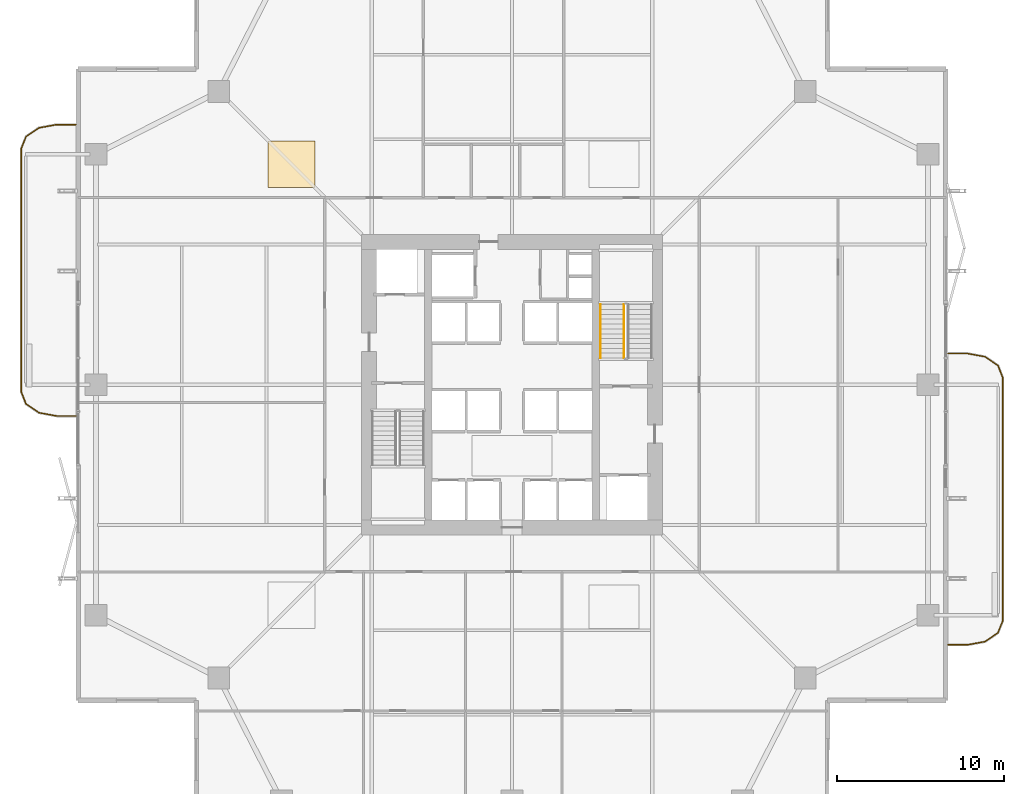
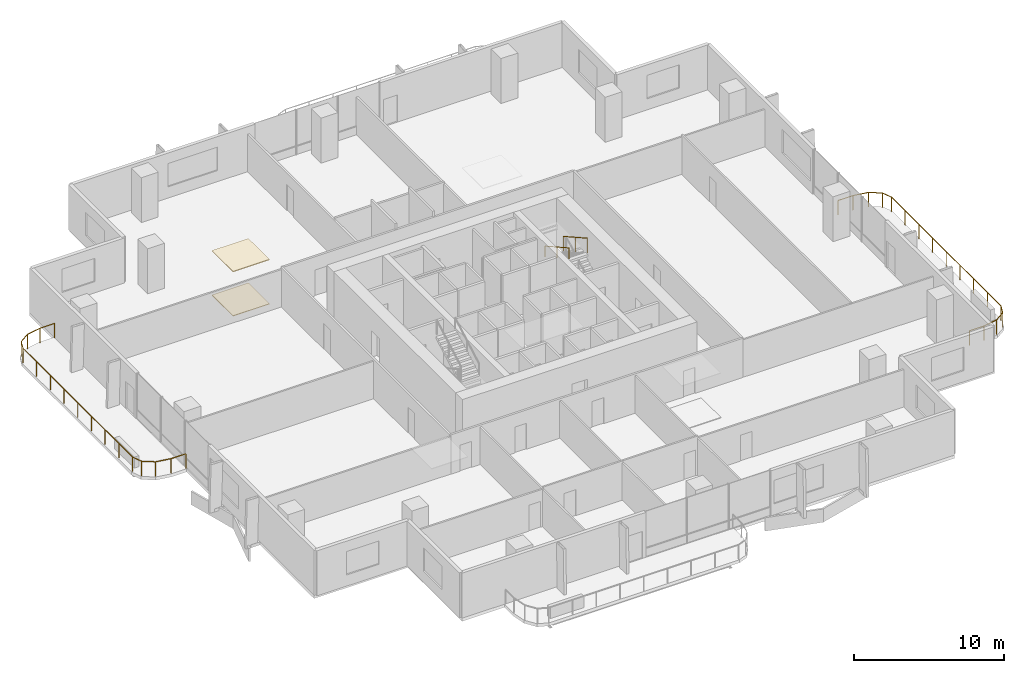
# One storey, part 22 of 23: 4 railings, 2 coverings.
"""IFC4 building model written with IfcOpenShell, lengths in metres."""

from ifc_helpers import new_model, si_unit, direction, frame, origin, origin_2d, place, context, subcontext, project, spatial, polyline, rectangle, outline, extrude, material, layer, layer_set, type_object, element, save


model = new_model("IFC4")

# Units and contexts
model_context = context("Model", 3, precision=1e-05, world=origin(), true_north=direction((0.0, 1.0)))
body_context = subcontext(model_context, "Body", "Model", "MODEL_VIEW")
ifc_project = project(units=[si_unit("LENGTHUNIT", "METRE"), si_unit("AREAUNIT", "SQUARE_METRE"), si_unit("VOLUMEUNIT", "CUBIC_METRE"), si_unit("PLANEANGLEUNIT", "RADIAN"), si_unit("MASSUNIT", "GRAM", prefix="KILO")], contexts=[model_context])

# Site, building, storey
site_placement = place(None, origin())
site = spatial("IfcSite", under=ifc_project, at=site_placement, CompositionType="ELEMENT")
building_placement = place(site_placement, origin())
building = spatial("IfcBuilding", under=site, at=building_placement, Name="Belovzor Exchange Tower", CompositionType="ELEMENT")
storey_placement = place(building_placement, frame((0.0, 0.0, 125.10009765625)))
storey = spatial("IfcBuildingStorey", under=building, at=storey_placement, Name="L30", CompositionType="ELEMENT", Elevation=125.10009765625)

# Railings
ifc_material_1 = material(Name="Stainless Steel Grade 304", Category="steel")
railing_type_1 = type_object("IfcRailingType", Name="Brushed Stainless Steel Stair Handrail 900", PredefinedType="HANDRAIL", material=ifc_material_1)
railing_1_placement = place(storey_placement, frame((34.10009765625, 33.590087890625, 2.1123046875)))
element("IfcRailing", 1, at=railing_1_placement, inside=storey, type_object=railing_type_1, Name="L30 ST-2 stair handrail 2", PredefinedType="HANDRAIL", context=body_context, shape_type="SweptSolid", body=[
    extrude(rectangle(XDim=0.048095703125, YDim=0.048095703125, at=origin_2d()), frame((0.0, 0.0, 0.8759765625), z_axis=(0.0, -0.87237847985, 0.488831042279), x_axis=(1.0, 0.0, 0.0)), (0.0, 0.0, 1.0), 3.656982421875),
    extrude(rectangle(XDim=0.0419921875, YDim=0.0419921875, at=origin_2d()), origin(), (0.0, 0.0, 1.0), 0.851806640625),
    extrude(rectangle(XDim=0.0419921875, YDim=0.0419921875, at=origin_2d()), frame((0.0, -1.59521484375, 0.893798828125)), (0.0, 0.0, 1.0), 0.851806640625),
    extrude(rectangle(XDim=0.0419921875, YDim=0.0419921875, at=origin_2d()), frame((0.0, -3.190185546875, 1.78759765625)), (0.0, 0.0, 1.0), 0.851806640625),
])
ifc_material_2 = material(Name="Stainless Steel and Laminated Safety Glass", Category="steel")
railing_type_2 = type_object("IfcRailingType", Name="Laminated Glass & Stainless Steel Balcony Balustrade 1200", PredefinedType="BALUSTRADE", material=ifc_material_2)
railing_2_placement = place(storey_placement, frame((54.909912109375, 13.22998046875, 0.0)))
element("IfcRailing", 2, at=railing_2_placement, inside=storey, type_object=railing_type_2, Name="GR-1 Balcony Balustrade L30 East", PredefinedType="BALUSTRADE", context=body_context, shape_type="SweptSolid", body=[
    extrude(rectangle(XDim=0.048095703125, YDim=0.048095703125, at=origin_2d()), frame((0.0, 0.0, 1.17578125), z_axis=(1.0, 0.0, 0.0), x_axis=(0.0, 1.0, 0.0)), (0.0, 0.0, 1.0), 1.133056640625),
    extrude(rectangle(XDim=0.048095703125, YDim=0.048095703125, at=origin_2d()), frame((1.133056640625, 0.0, 1.17578125), z_axis=(0.983644145941, 0.180122719713, 0.0), x_axis=(-0.180122719713, 0.983644145941, 0.0)), (0.0, 0.0, 1.0), 1.09375),
    extrude(rectangle(XDim=0.048095703125, YDim=0.048095703125, at=origin_2d()), frame((2.208984375, 0.197021484375, 1.17578125), z_axis=(0.826614792125, 0.562768145367, 0.0), x_axis=(-0.562768145367, 0.826614792125, 0.0)), (0.0, 0.0, 1.0), 0.9326171875),
    extrude(rectangle(XDim=0.048095703125, YDim=0.048095703125, at=origin_2d()), frame((2.97998046875, 0.721923828125, 1.17578125), z_axis=(0.365504480807, 0.930809580156, 0.0), x_axis=(-0.930809580156, 0.365504480807, 0.0)), (0.0, 0.0, 1.0), 0.76611328125),
    extrude(rectangle(XDim=0.048095703125, YDim=0.048095703125, at=origin_2d()), frame((3.260009765625, 1.43505859375, 1.17578125), z_axis=(0.0, 1.0, 0.0), x_axis=(-1.0, 0.0, 0.0)), (0.0, 0.0, 1.0), 14.570068359375),
    extrude(rectangle(XDim=0.048095703125, YDim=0.048095703125, at=origin_2d()), frame((3.260009765625, 16.005126953125, 1.17578125), z_axis=(-0.365612923861, 0.930766990125, 0.0), x_axis=(-0.930766990125, -0.365612923861, 0.0)), (0.0, 0.0, 1.0), 0.765869140625),
    extrude(rectangle(XDim=0.048095703125, YDim=0.048095703125, at=origin_2d()), frame((2.97998046875, 16.718017578125, 1.17578125), z_axis=(-0.826614792125, 0.562768145367, 0.0), x_axis=(-0.562768145367, -0.826614792125, 0.0)), (0.0, 0.0, 1.0), 0.9326171875),
    extrude(rectangle(XDim=0.048095703125, YDim=0.048095703125, at=origin_2d()), frame((2.208984375, 17.242919921875, 1.17578125), z_axis=(-0.983644145941, 0.180122719713, 0.0), x_axis=(-0.180122719713, -0.983644145941, 0.0)), (0.0, 0.0, 1.0), 1.09375),
    extrude(rectangle(XDim=0.048095703125, YDim=0.048095703125, at=origin_2d()), frame((1.133056640625, 17.43994140625, 1.17578125), z_axis=(-1.0, 0.0, 0.0), x_axis=(0.0, -1.0, 0.0)), (0.0, 0.0, 1.0), 1.133056640625),
    extrude(rectangle(XDim=0.0419921875, YDim=0.0419921875, at=origin_2d()), origin(), (0.0, 0.0, 1.0), 1.15185546875),
    extrude(rectangle(XDim=0.0419921875, YDim=0.0419921875, at=origin_2d()), frame((1.133056640625, 0.0, 0.0)), (0.0, 0.0, 1.0), 1.15185546875),
    extrude(rectangle(XDim=0.0419921875, YDim=0.0419921875, at=origin_2d()), frame((2.208984375, 0.197021484375, 0.0)), (0.0, 0.0, 1.0), 1.15185546875),
    extrude(rectangle(XDim=0.0419921875, YDim=0.0419921875, at=origin_2d()), frame((2.97998046875, 0.721923828125, 0.0)), (0.0, 0.0, 1.0), 1.15185546875),
    extrude(rectangle(XDim=0.0419921875, YDim=0.0419921875, at=origin_2d()), frame((3.260009765625, 1.43505859375, 0.0)), (0.0, 0.0, 1.0), 1.15185546875),
    extrude(rectangle(XDim=0.0419921875, YDim=0.0419921875, at=origin_2d()), frame((3.260009765625, 3.25634765625, 0.0)), (0.0, 0.0, 1.0), 1.15185546875),
    extrude(rectangle(XDim=0.0419921875, YDim=0.0419921875, at=origin_2d()), frame((3.260009765625, 5.07763671875, 0.0)), (0.0, 0.0, 1.0), 1.15185546875),
    extrude(rectangle(XDim=0.0419921875, YDim=0.0419921875, at=origin_2d()), frame((3.260009765625, 6.89892578125, 0.0)), (0.0, 0.0, 1.0), 1.15185546875),
    extrude(rectangle(XDim=0.0419921875, YDim=0.0419921875, at=origin_2d()), frame((3.260009765625, 8.72021484375, 0.0)), (0.0, 0.0, 1.0), 1.15185546875),
    extrude(rectangle(XDim=0.0419921875, YDim=0.0419921875, at=origin_2d()), frame((3.260009765625, 10.541259765625, 0.0)), (0.0, 0.0, 1.0), 1.15185546875),
    extrude(rectangle(XDim=0.0419921875, YDim=0.0419921875, at=origin_2d()), frame((3.260009765625, 12.362548828125, 0.0)), (0.0, 0.0, 1.0), 1.15185546875),
    extrude(rectangle(XDim=0.0419921875, YDim=0.0419921875, at=origin_2d()), frame((3.260009765625, 14.183837890625, 0.0)), (0.0, 0.0, 1.0), 1.15185546875),
    extrude(rectangle(XDim=0.0419921875, YDim=0.0419921875, at=origin_2d()), frame((3.260009765625, 16.005126953125, 0.0)), (0.0, 0.0, 1.0), 1.15185546875),
    extrude(rectangle(XDim=0.0419921875, YDim=0.0419921875, at=origin_2d()), frame((2.97998046875, 16.718017578125, 0.0)), (0.0, 0.0, 1.0), 1.15185546875),
    extrude(rectangle(XDim=0.0419921875, YDim=0.0419921875, at=origin_2d()), frame((2.208984375, 17.242919921875, 0.0)), (0.0, 0.0, 1.0), 1.15185546875),
    extrude(rectangle(XDim=0.0419921875, YDim=0.0419921875, at=origin_2d()), frame((1.133056640625, 17.43994140625, 0.0)), (0.0, 0.0, 1.0), 1.15185546875),
    extrude(rectangle(XDim=0.0419921875, YDim=0.0419921875, at=origin_2d()), frame((0.0, 17.43994140625, 0.0)), (0.0, 0.0, 1.0), 1.15185546875),
])
railing_3_placement = place(storey_placement, frame((2.68994140625, 44.3701171875, 0.0)))
element("IfcRailing", 3, at=railing_3_placement, inside=storey, type_object=railing_type_2, Name="GR-1 Balcony Balustrade L30 West", PredefinedType="BALUSTRADE", context=body_context, shape_type="SweptSolid", body=[
    extrude(rectangle(XDim=0.048095703125, YDim=0.048095703125, at=origin_2d()), frame((0.0, 0.0, 1.17578125), z_axis=(-1.0, 0.0, 0.0), x_axis=(0.0, -1.0, 0.0)), (0.0, 0.0, 1.0), 1.133056640625),
    extrude(rectangle(XDim=0.048095703125, YDim=0.048095703125, at=origin_2d()), frame((-1.133056640625, 0.0, 1.17578125), z_axis=(-0.983644145941, -0.180122719713, 0.0), x_axis=(0.180122719713, -0.983644145941, 0.0)), (0.0, 0.0, 1.0), 1.09375),
    extrude(rectangle(XDim=0.048095703125, YDim=0.048095703125, at=origin_2d()), frame((-2.208984375, -0.197021484375, 1.17578125), z_axis=(-0.826493025367, -0.56294695933, 0.0), x_axis=(0.56294695933, -0.826493025367, 0.0)), (0.0, 0.0, 1.0), 0.932861328125),
    extrude(rectangle(XDim=0.048095703125, YDim=0.048095703125, at=origin_2d()), frame((-2.97998046875, -0.72216796875, 1.17578125), z_axis=(-0.365612923861, -0.930766990125, 0.0), x_axis=(0.930766990125, -0.365612923861, 0.0)), (0.0, 0.0, 1.0), 0.765869140625),
    extrude(rectangle(XDim=0.048095703125, YDim=0.048095703125, at=origin_2d()), frame((-3.260009765625, -1.43505859375, 1.17578125), z_axis=(0.0, -1.0, 0.0), x_axis=(1.0, 0.0, 0.0)), (0.0, 0.0, 1.0), 14.570068359375),
    extrude(rectangle(XDim=0.048095703125, YDim=0.048095703125, at=origin_2d()), frame((-3.260009765625, -16.005126953125, 1.17578125), z_axis=(0.365612923861, -0.930766990125, 0.0), x_axis=(0.930766990125, 0.365612923861, 0.0)), (0.0, 0.0, 1.0), 0.765869140625),
    extrude(rectangle(XDim=0.048095703125, YDim=0.048095703125, at=origin_2d()), frame((-2.97998046875, -16.718017578125, 1.17578125), z_axis=(0.826493025367, -0.56294695933, 0.0), x_axis=(0.56294695933, 0.826493025367, 0.0)), (0.0, 0.0, 1.0), 0.932861328125),
    extrude(rectangle(XDim=0.048095703125, YDim=0.048095703125, at=origin_2d()), frame((-2.208984375, -17.2431640625, 1.17578125), z_axis=(0.983644145941, -0.180122719713, 0.0), x_axis=(0.180122719713, 0.983644145941, 0.0)), (0.0, 0.0, 1.0), 1.09375),
    extrude(rectangle(XDim=0.048095703125, YDim=0.048095703125, at=origin_2d()), frame((-1.133056640625, -17.440185546875, 1.17578125), z_axis=(1.0, 0.0, 0.0), x_axis=(0.0, 1.0, 0.0)), (0.0, 0.0, 1.0), 1.133056640625),
    extrude(rectangle(XDim=0.0419921875, YDim=0.0419921875, at=origin_2d()), origin(), (0.0, 0.0, 1.0), 1.15185546875),
    extrude(rectangle(XDim=0.0419921875, YDim=0.0419921875, at=origin_2d()), frame((-1.133056640625, 0.0, 0.0)), (0.0, 0.0, 1.0), 1.15185546875),
    extrude(rectangle(XDim=0.0419921875, YDim=0.0419921875, at=origin_2d()), frame((-2.208984375, -0.197021484375, 0.0)), (0.0, 0.0, 1.0), 1.15185546875),
    extrude(rectangle(XDim=0.0419921875, YDim=0.0419921875, at=origin_2d()), frame((-2.97998046875, -0.72216796875, 0.0)), (0.0, 0.0, 1.0), 1.15185546875),
    extrude(rectangle(XDim=0.0419921875, YDim=0.0419921875, at=origin_2d()), frame((-3.260009765625, -1.43505859375, 0.0)), (0.0, 0.0, 1.0), 1.15185546875),
    extrude(rectangle(XDim=0.0419921875, YDim=0.0419921875, at=origin_2d()), frame((-3.260009765625, -3.25634765625, 0.0)), (0.0, 0.0, 1.0), 1.15185546875),
    extrude(rectangle(XDim=0.0419921875, YDim=0.0419921875, at=origin_2d()), frame((-3.260009765625, -5.07763671875, 0.0)), (0.0, 0.0, 1.0), 1.15185546875),
    extrude(rectangle(XDim=0.0419921875, YDim=0.0419921875, at=origin_2d()), frame((-3.260009765625, -6.89892578125, 0.0)), (0.0, 0.0, 1.0), 1.15185546875),
    extrude(rectangle(XDim=0.0419921875, YDim=0.0419921875, at=origin_2d()), frame((-3.260009765625, -8.72021484375, 0.0)), (0.0, 0.0, 1.0), 1.15185546875),
    extrude(rectangle(XDim=0.0419921875, YDim=0.0419921875, at=origin_2d()), frame((-3.260009765625, -10.541259765625, 0.0)), (0.0, 0.0, 1.0), 1.15185546875),
    extrude(rectangle(XDim=0.0419921875, YDim=0.0419921875, at=origin_2d()), frame((-3.260009765625, -12.362548828125, 0.0)), (0.0, 0.0, 1.0), 1.15185546875),
    extrude(rectangle(XDim=0.0419921875, YDim=0.0419921875, at=origin_2d()), frame((-3.260009765625, -14.183837890625, 0.0)), (0.0, 0.0, 1.0), 1.15185546875),
    extrude(rectangle(XDim=0.0419921875, YDim=0.0419921875, at=origin_2d()), frame((-3.260009765625, -16.005126953125, 0.0)), (0.0, 0.0, 1.0), 1.15185546875),
    extrude(rectangle(XDim=0.0419921875, YDim=0.0419921875, at=origin_2d()), frame((-2.97998046875, -16.718017578125, 0.0)), (0.0, 0.0, 1.0), 1.15185546875),
    extrude(rectangle(XDim=0.0419921875, YDim=0.0419921875, at=origin_2d()), frame((-2.208984375, -17.2431640625, 0.0)), (0.0, 0.0, 1.0), 1.15185546875),
    extrude(rectangle(XDim=0.0419921875, YDim=0.0419921875, at=origin_2d()), frame((-1.133056640625, -17.440185546875, 0.0)), (0.0, 0.0, 1.0), 1.15185546875),
    extrude(rectangle(XDim=0.0419921875, YDim=0.0419921875, at=origin_2d()), frame((0.0, -17.440185546875, 0.0)), (0.0, 0.0, 1.0), 1.15185546875),
])
ifc_material_3 = material(Name="Steel S355", Category="steel")
railing_type_3 = type_object("IfcRailingType", Name="Painted Steel Stairwell Guardrail 1200", PredefinedType="GUARDRAIL", material=ifc_material_3)
railing_4_placement = place(storey_placement, frame((35.5, 33.590087890625, 2.1123046875)))
element("IfcRailing", 4, at=railing_4_placement, inside=storey, type_object=railing_type_3, Name="L30 ST-2 stair guard 3", PredefinedType="GUARDRAIL", context=body_context, shape_type="SweptSolid", body=[
    extrude(rectangle(XDim=0.048095703125, YDim=0.048095703125, at=origin_2d()), frame((0.0, 0.0, 1.17578125), z_axis=(0.0, -0.87237847985, 0.488831042279), x_axis=(1.0, 0.0, 0.0)), (0.0, 0.0, 1.0), 3.656982421875),
    extrude(rectangle(XDim=0.0419921875, YDim=0.0419921875, at=origin_2d()), origin(), (0.0, 0.0, 1.0), 1.15185546875),
    extrude(rectangle(XDim=0.0419921875, YDim=0.0419921875, at=origin_2d()), frame((0.0, -1.59521484375, 0.893798828125)), (0.0, 0.0, 1.0), 1.15185546875),
    extrude(rectangle(XDim=0.0419921875, YDim=0.0419921875, at=origin_2d()), frame((0.0, -3.190185546875, 1.78759765625)), (0.0, 0.0, 1.0), 1.15185546875),
])

# Coverings
ifc_material_4 = material(Name="Perforated Powder-Coated Aluminium", Category="aluminium")
ifc_layer_1 = layer(ifc_material_4, 0.06005859375)
ifc_layer_set_1 = layer_set([ifc_layer_1], Name="Perforated Powder-Coated Aluminium")
covering_type_1 = type_object("IfcCoveringType", Name="Perforated Acoustic Metal Tile Suspended Ceiling 60", PredefinedType="CEILING", material=ifc_layer_set_1)
covering_1_placement = place(storey_placement, frame((0.0, 0.0, 3.58984375)))
element("IfcCovering", 5, at=covering_1_placement, inside=storey, type_object=covering_type_1, Name="CLG-AC60 Suspended Ceiling CLG-L30-Z3", PredefinedType="CEILING", context=body_context, shape_type="SweptSolid", body=[
    extrude(outline(polyline([(14.199951171875, 40.60009765625), (17.0, 40.60009765625), (17.0, 43.39990234375), (14.199951171875, 43.39990234375), (14.199951171875, 40.60009765625)])), origin(), (0.0, 0.0, 1.0), 0.06005859375),
])
ifc_material_5 = material(Name="Polished Natural Granite Tile", Category="masonry")
ifc_layer_2 = layer(ifc_material_5, 0.050048828125)
ifc_layer_set_2 = layer_set([ifc_layer_2], Name="Polished Natural Granite Tile")
covering_type_2 = type_object("IfcCoveringType", Name="Polished Karelian Granite & Raised Access Floor Finish 50", PredefinedType="FLOORING", material=ifc_layer_set_2)
covering_2_placement = place(storey_placement, origin())
element("IfcCovering", 6, at=covering_2_placement, inside=storey, type_object=covering_type_2, Name="FLR-GR50 Floor Finish FLR-L30-Z3", PredefinedType="FLOORING", context=body_context, shape_type="SweptSolid", body=[
    extrude(outline(polyline([(14.199951171875, 40.60009765625), (17.0, 40.60009765625), (17.0, 43.39990234375), (14.199951171875, 43.39990234375), (14.199951171875, 40.60009765625)])), origin(), (0.0, 0.0, 1.0), 0.0498046875),
])

save(model, "model.ifc")
